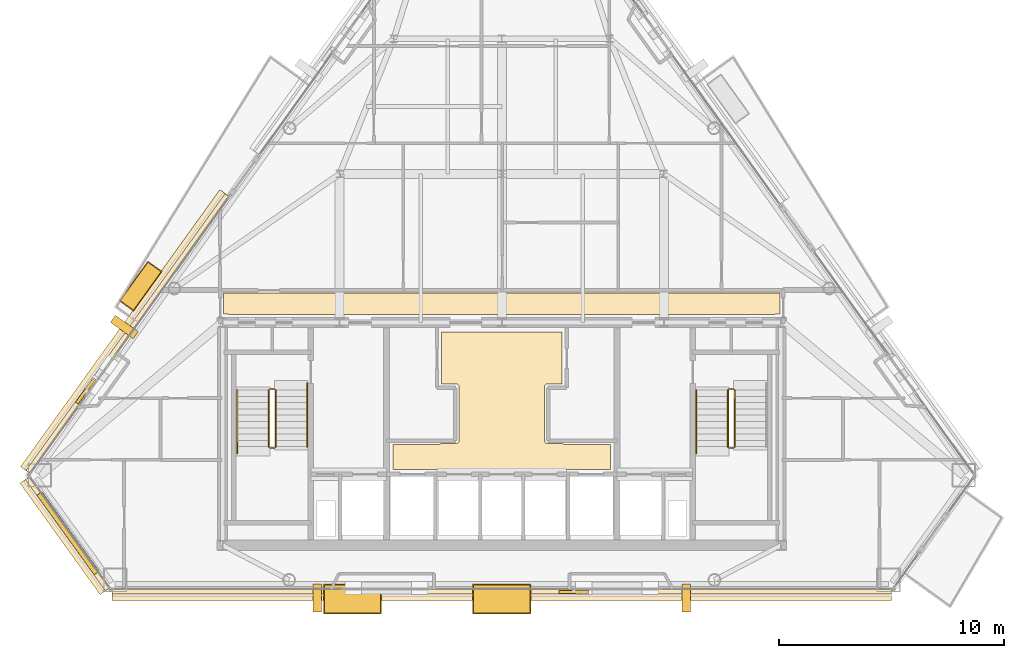
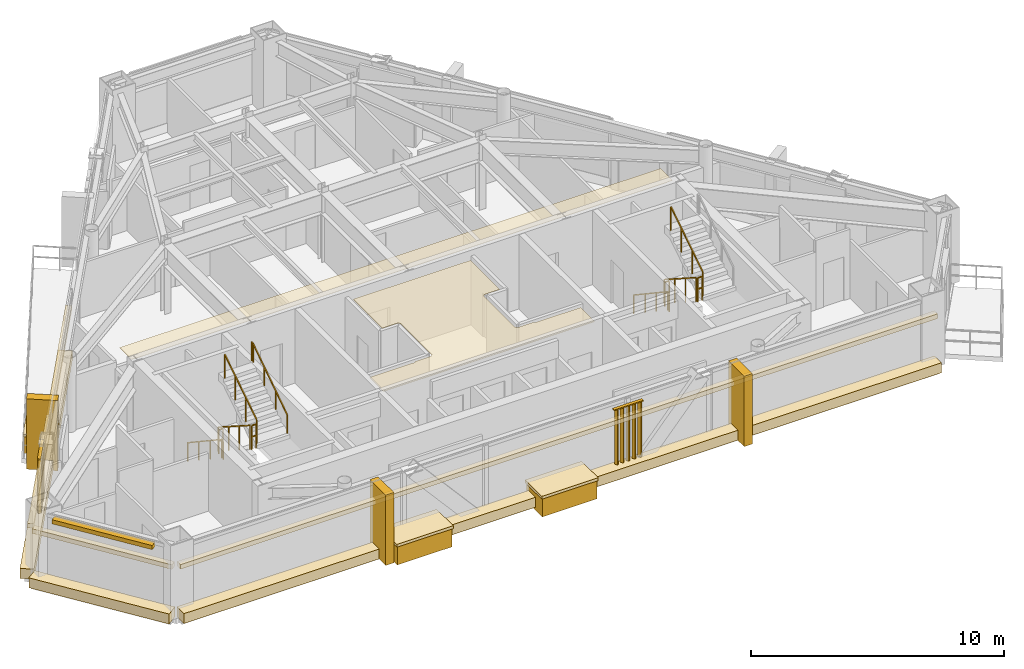
# One storey, part 11 of 12: 17 coverings, 11 railings, 3 shading devices.
"""IFC4 building model written with IfcOpenShell, lengths in metres."""

from ifc_helpers import new_model, si_unit, direction, frame, origin, origin_2d, place, context, subcontext, project, spatial, polyline, rectangle, outline, extrude, source, transform, mapped, material, layer, layer_set, type_object, type_shapes, element, save


model = new_model("IFC4")

# Units and contexts
model_context = context("Model", 3, precision=1e-05, world=origin(), true_north=direction((0.0, 1.0)))
body_context = subcontext(model_context, "Body", "Model", "MODEL_VIEW")
ifc_project = project(units=[si_unit("LENGTHUNIT", "METRE"), si_unit("AREAUNIT", "SQUARE_METRE"), si_unit("VOLUMEUNIT", "CUBIC_METRE"), si_unit("PLANEANGLEUNIT", "RADIAN"), si_unit("MASSUNIT", "GRAM", prefix="KILO")], contexts=[model_context])

# Site, building, storey
site_placement = place(None, origin())
site = spatial("IfcSite", under=ifc_project, at=site_placement, CompositionType="ELEMENT")
building_placement = place(site_placement, origin())
building = spatial("IfcBuilding", under=site, at=building_placement, Name="Talgorran Terracotta Tower", CompositionType="ELEMENT")
storey_placement = place(building_placement, frame((0.0, 0.0, 192.89990234375)))
storey = spatial("IfcBuildingStorey", under=building, at=storey_placement, Name="L50", CompositionType="ELEMENT", Elevation=192.89990234375)

# Coverings
ifc_material_1 = material(Name="Kiln-Fired Terracotta Ochre Ceramic", Category="masonry")
ifc_layer_1 = layer(ifc_material_1, 0.179931640625, Name="COV_BAGUETTE_TERRACOTTA_SCREEN")
ifc_layer_set_1 = layer_set([ifc_layer_1], Name="Kiln-Fired Terracotta Ochre Ceramic")
covering_type_1 = type_object("IfcCoveringType", Name="COV_BAGUETTE_TERRACOTTA_SCREEN", PredefinedType="CLADDING", material=ifc_layer_set_1)
covering_1_placement = place(storey_placement, frame((-19.281982421875, -13.574951171875, 2.41015625), z_axis=(0.0, 0.0, 1.0), x_axis=(0.583980505394, -0.811767681864, 0.0)))
element("IfcCovering", 1, at=covering_1_placement, inside=storey, type_object=covering_type_1, Name="L50 Terracotta Baguette Solar Screen Assembly F0", PredefinedType="CLADDING", context=body_context, shape_type="SweptSolid", body=[
    extrude(rectangle(XDim=6.07958984375, YDim=0.260009765625, at=origin_2d()), origin(), (0.0, 0.0, 1.0), 0.219970703125),
])
covering_2_placement = place(storey_placement, frame((0.0, -16.14111328125, 2.41015625), z_axis=(0.0, 0.0, 1.0), x_axis=(1.0, 0.0, 0.0)))
element("IfcCovering", 2, at=covering_2_placement, inside=storey, type_object=covering_type_1, Name="L50 Terracotta Baguette Solar Screen Assembly F1", PredefinedType="CLADDING", context=body_context, shape_type="SweptSolid", body=[
    extrude(rectangle(XDim=34.62939453125, YDim=0.260009765625, at=origin_2d()), origin(), (0.0, 0.0, 1.0), 0.219970703125),
])
covering_3_placement = place(storey_placement, frame((-16.6123046875, -4.6982421875, 2.41015625), z_axis=(0.0, 0.0, 1.0), x_axis=(-0.583980505394, -0.811767681864, 0.0)))
element("IfcCovering", 3, at=covering_3_placement, inside=storey, type_object=covering_type_1, Name="L50 Terracotta Baguette Solar Screen Assembly F61", PredefinedType="CLADDING", context=body_context, shape_type="SweptSolid", body=[
    extrude(rectangle(XDim=15.142822265625, YDim=0.260009765625, at=origin_2d()), origin(), (0.0, 0.0, 1.0), 0.219970703125),
])
ifc_material_2 = material(Name="Mineral Fibre Acoustic Tile")
ifc_layer_2 = layer(ifc_material_2, 0.02490234375, Name="COV_CEIL_ACOUSTIC")
ifc_layer_set_2 = layer_set([ifc_layer_2], Name="Mineral Fibre Acoustic Tile")
covering_type_2 = type_object("IfcCoveringType", Name="COV_CEIL_ACOUSTIC", PredefinedType="CEILING", material=ifc_layer_set_2)
covering_4_placement = place(storey_placement, frame((0.0, 0.0, 3.260009765625)))
element("IfcCovering", 4, at=covering_4_placement, inside=storey, type_object=covering_type_2, Name="CEIL-L50-2", PredefinedType="CEILING", context=body_context, shape_type="SweptSolid", body=[
    extrude(outline(polyline([(-12.364990234375, -2.885009765625), (12.364990234375, -2.885009765625), (12.364990234375, -3.830078125), (12.169921875, -3.830078125), (12.158203125, -3.83056640625), (12.146484375, -3.832275390625), (12.13525390625, -3.835205078125), (12.1240234375, -3.839111328125), (12.11328125, -3.84423828125), (12.112060546875, -3.844970703125), (7.432861328125, -3.844970703125), (6.968017578125, -3.843017578125), (6.967529296875, -3.843017578125), (0.232666015625, -3.844970703125), (-0.23193359375, -3.843017578125), (-0.232421875, -3.843017578125), (-6.96728515625, -3.844970703125), (-7.431884765625, -3.843017578125), (-7.4326171875, -3.843017578125), (-12.112060546875, -3.844970703125), (-12.11328125, -3.84423828125), (-12.1240234375, -3.839111328125), (-12.13525390625, -3.835205078125), (-12.146484375, -3.832275390625), (-12.158203125, -3.83056640625), (-12.169921875, -3.830078125), (-12.364990234375, -3.830078125), (-12.364990234375, -2.885009765625)])), origin(), (0.0, 0.0, 1.0), 0.02001953125),
])
ifc_material_3 = material(Name="Flush Moisture-Resistant Plaster")
ifc_layer_3 = layer(ifc_material_3, 0.01806640625, Name="COV_CEIL_PLASTER")
ifc_layer_set_3 = layer_set([ifc_layer_3], Name="Flush Moisture-Resistant Plaster")
covering_type_3 = type_object("IfcCoveringType", Name="COV_CEIL_PLASTER", PredefinedType="CEILING", material=ifc_layer_set_3)
covering_5_placement = place(storey_placement, frame((0.0, 0.0, 3.260009765625)))
element("IfcCovering", 5, at=covering_5_placement, inside=storey, type_object=covering_type_3, Name="CEIL-L50-1", PredefinedType="CEILING", context=body_context, shape_type="SweptSolid", body=[
    extrude(outline(polyline([(-2.70263671875, -9.570068359375), (-2.02001953125, -9.570068359375), (-2.00830078125, -9.5693359375), (-1.99658203125, -9.567626953125), (-1.985107421875, -9.564697265625), (-1.97412109375, -9.560791015625), (-1.96337890625, -9.555908203125), (-1.953369140625, -9.5498046875), (-1.94384765625, -9.542724609375), (-1.93505859375, -9.534912109375), (-1.92724609375, -9.526123046875), (-1.920166015625, -9.5166015625), (-1.914306640625, -9.506591796875), (-1.9091796875, -9.495849609375), (-1.9052734375, -9.48486328125), (-1.90234375, -9.473388671875), (-1.900634765625, -9.4619140625), (-1.89990234375, -9.449951171875), (-1.89990234375, -7.050048828125), (-1.900634765625, -7.0380859375), (-1.90234375, -7.026611328125), (-1.9052734375, -7.01513671875), (-1.9091796875, -7.004150390625), (-1.914306640625, -6.993408203125), (-1.920166015625, -6.9833984375), (-1.92724609375, -6.973876953125), (-1.93505859375, -6.965087890625), (-1.94384765625, -6.957275390625), (-1.953369140625, -6.9501953125), (-1.96337890625, -6.944091796875), (-1.97412109375, -6.939208984375), (-1.985107421875, -6.935302734375), (-1.99658203125, -6.932373046875), (-2.00830078125, -6.9306640625), (-2.02001953125, -6.929931640625), (-2.679931640625, -6.929931640625), (-2.679931640625, -4.6201171875), (2.679931640625, -4.6201171875), (2.679931640625, -6.929931640625), (2.02001953125, -6.929931640625), (2.00830078125, -6.9306640625), (1.99658203125, -6.932373046875), (1.985107421875, -6.935302734375), (1.97412109375, -6.939208984375), (1.96337890625, -6.944091796875), (1.953369140625, -6.9501953125), (1.94384765625, -6.957275390625), (1.93505859375, -6.965087890625), (1.92724609375, -6.973876953125), (1.920166015625, -6.9833984375), (1.914306640625, -6.993408203125), (1.9091796875, -7.004150390625), (1.9052734375, -7.01513671875), (1.90234375, -7.026611328125), (1.900634765625, -7.0380859375), (1.89990234375, -7.050048828125), (1.89990234375, -9.449951171875), (1.900634765625, -9.4619140625), (1.90234375, -9.473388671875), (1.9052734375, -9.48486328125), (1.9091796875, -9.495849609375), (1.914306640625, -9.506591796875), (1.920166015625, -9.5166015625), (1.92724609375, -9.526123046875), (1.93505859375, -9.534912109375), (1.94384765625, -9.542724609375), (1.953369140625, -9.5498046875), (1.96337890625, -9.555908203125), (1.97412109375, -9.560791015625), (1.985107421875, -9.564697265625), (1.99658203125, -9.567626953125), (2.00830078125, -9.5693359375), (2.02001953125, -9.570068359375), (2.70263671875, -9.570068359375), (2.707275390625, -9.576171875), (2.715087890625, -9.5849609375), (2.723876953125, -9.5927734375), (2.7333984375, -9.599853515625), (2.743408203125, -9.605712890625), (2.754150390625, -9.61083984375), (2.76513671875, -9.61474609375), (2.776611328125, -9.61767578125), (2.7880859375, -9.619384765625), (2.800048828125, -9.6201171875), (4.830078125, -9.6201171875), (4.830078125, -10.72998046875), (-4.830078125, -10.72998046875), (-4.830078125, -9.6201171875), (-2.800048828125, -9.6201171875), (-2.7880859375, -9.619384765625), (-2.776611328125, -9.61767578125), (-2.76513671875, -9.61474609375), (-2.754150390625, -9.61083984375), (-2.743408203125, -9.605712890625), (-2.7333984375, -9.599853515625), (-2.723876953125, -9.5927734375), (-2.715087890625, -9.5849609375), (-2.707275390625, -9.576171875), (-2.70263671875, -9.570068359375)])), origin(), (0.0, 0.0, 1.0), 0.02001953125),
])
ifc_material_4 = material(Name="Honed Limestone and Terracotta Planter", Category="masonry")
ifc_layer_4 = layer(ifc_material_4, 0.1201171875, Name="COV_PLANTER_BOX")
ifc_layer_set_4 = layer_set([ifc_layer_4], Name="Honed Limestone and Terracotta Planter")
covering_type_4 = type_object("IfcCoveringType", Name="COV_PLANTER_BOX", PredefinedType="CLADDING", material=ifc_layer_set_4)
for number, where, z_axis, x_axis, name in (
    (6, (-6.629638671875, -16.481201171875, -0.179931640625), (0.0, 0.0, 1.0), (1.0, 0.0, 0.0), "L50 Staggered South Facade Planter Box 1"),
    (7, (0.0, -16.481201171875, -0.179931640625), (0.0, 0.0, 1.0), (1.0, 0.0, 0.0), "L50 Staggered South Facade Planter Box 2"),
):
    element("IfcCovering", number, at=place(storey_placement, frame(where, z_axis=z_axis, x_axis=x_axis)), inside=storey, type_object=covering_type_4, Name=name, PredefinedType="CLADDING", context=body_context, shape_type="SweptSolid", body=[
        extrude(rectangle(XDim=2.5, YDim=1.25, at=origin_2d()), origin(), (0.0, 0.0, 1.0), 0.919921875),
    ])
covering_6_placement = place(storey_placement, frame((-16.0419921875, -2.5869140625, -0.02001953125), z_axis=(0.0, 0.0, 1.0), x_axis=(-0.583980505394, -0.811767681864, 0.0)))
element("IfcCovering", 8, at=covering_6_placement, inside=storey, type_object=covering_type_4, Name="L50 Staggered Balcony Planter Box BAL-NW", PredefinedType="CLADDING", context=body_context, shape_type="SweptSolid", body=[
    extrude(rectangle(XDim=2.10009765625, YDim=0.719970703125, at=origin_2d()), origin(), (0.0, 0.0, 1.0), 0.860107421875),
])
ifc_material_5 = material(Name="Kiln-Fired Terracotta Planter Rim", Category="masonry")
ifc_layer_5 = layer(ifc_material_5, 0.10009765625, Name="COV_PLANTER_RIM")
ifc_layer_set_5 = layer_set([ifc_layer_5], Name="Kiln-Fired Terracotta Planter Rim")
covering_type_5 = type_object("IfcCoveringType", Name="COV_PLANTER_RIM", PredefinedType="CLADDING", material=ifc_layer_set_5)
for number, where, z_axis, x_axis, name in (
    (9, (-6.629638671875, -16.481201171875, 0.7099609375), (0.0, 0.0, 1.0), (1.0, 0.0, 0.0), "L50 South Planter Terracotta Rim 1"),
    (10, (0.0, -16.481201171875, 0.7099609375), (0.0, 0.0, 1.0), (1.0, 0.0, 0.0), "L50 South Planter Terracotta Rim 2"),
):
    element("IfcCovering", number, at=place(storey_placement, frame(where, z_axis=z_axis, x_axis=x_axis)), inside=storey, type_object=covering_type_5, Name=name, PredefinedType="CLADDING", context=body_context, shape_type="SweptSolid", body=[
        extrude(rectangle(XDim=2.580078125, YDim=1.320068359375, at=origin_2d()), origin(), (0.0, 0.0, 1.0), 0.139892578125),
    ])
covering_7_placement = place(storey_placement, frame((-16.0419921875, -2.5869140625, 0.800048828125), z_axis=(0.0, 0.0, 1.0), x_axis=(-0.583980505394, -0.811767681864, 0.0)))
element("IfcCovering", 11, at=covering_7_placement, inside=storey, type_object=covering_type_5, Name="L50 Balcony Planter Terracotta Rim BAL-NW", PredefinedType="CLADDING", context=body_context, shape_type="SweptSolid", body=[
    extrude(rectangle(XDim=2.179931640625, YDim=0.780029296875, at=origin_2d()), origin(), (0.0, 0.0, 1.0), 0.1201171875),
])
ifc_material_6 = material(Name="Honed Limestone Cladding", Category="masonry")
ifc_layer_6 = layer(ifc_material_6, 0.094970703125, Name="COV_PORTAL_LIME")
ifc_layer_set_6 = layer_set([ifc_layer_6], Name="Honed Limestone Cladding")
covering_type_6 = type_object("IfcCoveringType", Name="COV_PORTAL_LIME", PredefinedType="CLADDING", material=ifc_layer_set_6)
covering_8_placement = place(storey_placement, frame((-19.3955078125, -13.65673828125, -0.039794921875), z_axis=(0.0, 0.0, 1.0), x_axis=(0.583980505394, -0.811767681864, 0.0)))
element("IfcCovering", 12, at=covering_8_placement, inside=storey, type_object=covering_type_6, Name="L50 Striped Postmodern Portal Cladding Band F0", PredefinedType="CLADDING", context=body_context, shape_type="SweptSolid", body=[
    extrude(rectangle(XDim=6.099609375, YDim=0.56005859375, at=origin_2d()), origin(), (0.0, 0.0, 1.0), 0.47998046875),
])
covering_9_placement = place(storey_placement, frame((0.0, -16.281005859375, -0.039794921875), z_axis=(0.0, 0.0, 1.0), x_axis=(1.0, 0.0, 0.0)))
element("IfcCovering", 13, at=covering_9_placement, inside=storey, type_object=covering_type_6, Name="L50 Striped Postmodern Portal Cladding Band F1", PredefinedType="CLADDING", context=body_context, shape_type="SweptSolid", body=[
    extrude(rectangle(XDim=34.6494140625, YDim=0.56005859375, at=origin_2d()), origin(), (0.0, 0.0, 1.0), 0.47998046875),
])
covering_10_placement = place(storey_placement, frame((-16.725830078125, -4.616455078125, -0.039794921875), z_axis=(0.0, 0.0, 1.0), x_axis=(-0.583980505394, -0.811767681864, 0.0)))
element("IfcCovering", 14, at=covering_10_placement, inside=storey, type_object=covering_type_6, Name="L50 Striped Postmodern Portal Cladding Band F61", PredefinedType="CLADDING", context=body_context, shape_type="SweptSolid", body=[
    extrude(rectangle(XDim=15.162841796875, YDim=0.56005859375, at=origin_2d()), origin(), (0.0, 0.0, 1.0), 0.47998046875),
])
for number, where, z_axis, x_axis, name in (
    (15, (8.19970703125, -16.441162109375, -0.0498046875), (0.0, 0.0, 1.0), (1.0, 0.0, 0.0), "L50 White Striped Portal Fin F1-2"),
    (16, (-16.768798828125, -4.402099609375, -0.0498046875), (0.0, 0.0, 1.0), (-0.583980505394, -0.811767681864, 0.0), "L50 White Striped Portal Fin F5-2"),
):
    element("IfcCovering", number, at=place(storey_placement, frame(where, z_axis=z_axis, x_axis=x_axis)), inside=storey, type_object=covering_type_6, Name=name, PredefinedType="CLADDING", context=body_context, shape_type="SweptSolid", body=[
        extrude(rectangle(XDim=0.3798828125, YDim=1.25, at=origin_2d()), origin(), (0.0, 0.0, 1.0), 3.39990234375),
    ])
ifc_material_7 = material(Name="Kiln-Fired Terracotta Cladding", Category="masonry")
ifc_layer_7 = layer(ifc_material_7, 0.090087890625, Name="COV_PORTAL_TERRA")
ifc_layer_set_7 = layer_set([ifc_layer_7], Name="Kiln-Fired Terracotta Cladding")
covering_type_7 = type_object("IfcCoveringType", Name="COV_PORTAL_TERRA", PredefinedType="CLADDING", material=ifc_layer_set_7)
covering_11_placement = place(storey_placement, frame((-8.19970703125, -16.441162109375, -0.0498046875), z_axis=(0.0, 0.0, 1.0), x_axis=(1.0, 0.0, 0.0)))
element("IfcCovering", 17, at=covering_11_placement, inside=storey, type_object=covering_type_7, Name="L50 Terracotta Striped Portal Fin F1-1", PredefinedType="CLADDING", context=body_context, shape_type="SweptSolid", body=[
    extrude(rectangle(XDim=0.3798828125, YDim=1.25, at=origin_2d()), origin(), (0.0, 0.0, 1.0), 3.39990234375),
])

# Railings
ifc_material_8 = material(Name="Steel S355 (300PLUS)", Category="steel")
railing_type_1 = type_object("IfcRailingType", Name="RL_HANDRAIL_920", PredefinedType="HANDRAIL", material=ifc_material_8)
railing_1_placement = place(storey_placement, frame((-11.75, -7.199951171875, 0.18017578125)))
element("IfcRailing", 18, at=railing_1_placement, inside=storey, type_object=railing_type_1, Name="L50 ST-01 stair handrail 1", PredefinedType="HANDRAIL", context=body_context, shape_type="SweptSolid", body=[
    extrude(rectangle(XDim=0.048095703125, YDim=0.048095703125, at=origin_2d()), frame((0.0, 0.0, 0.89599609375), z_axis=(0.0, -0.832073444223, 0.554665469827), x_axis=(1.0, 0.0, 0.0)), (0.0, 0.0, 1.0), 3.244873046875),
    extrude(rectangle(XDim=0.048095703125, YDim=0.048095703125, at=origin_2d()), frame((0.0, -2.699951171875, 2.69580078125), z_axis=(0.0, -1.0, 0.0), x_axis=(1.0, 0.0, 0.0)), (0.0, 0.0, 1.0), 0.1201171875),
    extrude(rectangle(XDim=0.0419921875, YDim=0.0419921875, at=origin_2d()), origin(), (0.0, 0.0, 1.0), 0.871826171875),
    extrude(rectangle(XDim=0.0419921875, YDim=0.0419921875, at=origin_2d()), frame((0.0, -0.89990234375, 0.599853515625)), (0.0, 0.0, 1.0), 0.871826171875),
    extrude(rectangle(XDim=0.0419921875, YDim=0.0419921875, at=origin_2d()), frame((0.0, -1.800048828125, 1.199951171875)), (0.0, 0.0, 1.0), 0.871826171875),
    extrude(rectangle(XDim=0.0419921875, YDim=0.0419921875, at=origin_2d()), frame((0.0, -2.699951171875, 1.7998046875)), (0.0, 0.0, 1.0), 0.871826171875),
    extrude(rectangle(XDim=0.0419921875, YDim=0.0419921875, at=origin_2d()), frame((0.0, -2.820068359375, 1.7998046875)), (0.0, 0.0, 1.0), 0.871826171875),
])
railing_2_placement = place(storey_placement, frame((-8.64990234375, -9.719970703125, 1.97998046875)))
element("IfcRailing", 19, at=railing_2_placement, inside=storey, type_object=railing_type_1, Name="L50 ST-01 stair handrail 2", PredefinedType="HANDRAIL", context=body_context, shape_type="SweptSolid", body=[
    extrude(rectangle(XDim=0.048095703125, YDim=0.048095703125, at=origin_2d()), frame((0.0, 0.0, 0.89599609375), z_axis=(0.0, 0.832038719335, 0.554717558338), x_axis=(-1.0, 0.0, 0.0)), (0.0, 0.0, 1.0), 3.244873046875),
    extrude(rectangle(XDim=0.048095703125, YDim=0.048095703125, at=origin_2d()), frame((0.0, 2.699951171875, 2.69580078125), z_axis=(0.0, 1.0, 0.0), x_axis=(-1.0, 0.0, 0.0)), (0.0, 0.0, 1.0), 0.1201171875),
    extrude(rectangle(XDim=0.0419921875, YDim=0.0419921875, at=origin_2d()), origin(), (0.0, 0.0, 1.0), 0.871826171875),
    extrude(rectangle(XDim=0.0419921875, YDim=0.0419921875, at=origin_2d()), frame((0.0, 0.89990234375, 0.60009765625)), (0.0, 0.0, 1.0), 0.871826171875),
    extrude(rectangle(XDim=0.0419921875, YDim=0.0419921875, at=origin_2d()), frame((0.0, 1.800048828125, 1.199951171875)), (0.0, 0.0, 1.0), 0.871826171875),
    extrude(rectangle(XDim=0.0419921875, YDim=0.0419921875, at=origin_2d()), frame((0.0, 2.699951171875, 1.800048828125)), (0.0, 0.0, 1.0), 0.871826171875),
    extrude(rectangle(XDim=0.0419921875, YDim=0.0419921875, at=origin_2d()), frame((0.0, 2.820068359375, 1.800048828125)), (0.0, 0.0, 1.0), 0.871826171875),
])
railing_3_placement = place(storey_placement, frame((8.64990234375, -7.199951171875, 0.18017578125)))
element("IfcRailing", 20, at=railing_3_placement, inside=storey, type_object=railing_type_1, Name="L50 ST-02 stair handrail 1", PredefinedType="HANDRAIL", context=body_context, shape_type="SweptSolid", body=[
    extrude(rectangle(XDim=0.048095703125, YDim=0.048095703125, at=origin_2d()), frame((0.0, 0.0, 0.89599609375), z_axis=(0.0, -0.832073444223, 0.554665469827), x_axis=(1.0, 0.0, 0.0)), (0.0, 0.0, 1.0), 3.244873046875),
    extrude(rectangle(XDim=0.048095703125, YDim=0.048095703125, at=origin_2d()), frame((0.0, -2.699951171875, 2.69580078125), z_axis=(0.0, -1.0, 0.0), x_axis=(1.0, 0.0, 0.0)), (0.0, 0.0, 1.0), 0.1201171875),
    extrude(rectangle(XDim=0.0419921875, YDim=0.0419921875, at=origin_2d()), origin(), (0.0, 0.0, 1.0), 0.871826171875),
    extrude(rectangle(XDim=0.0419921875, YDim=0.0419921875, at=origin_2d()), frame((0.0, -0.89990234375, 0.599853515625)), (0.0, 0.0, 1.0), 0.871826171875),
    extrude(rectangle(XDim=0.0419921875, YDim=0.0419921875, at=origin_2d()), frame((0.0, -1.800048828125, 1.199951171875)), (0.0, 0.0, 1.0), 0.871826171875),
    extrude(rectangle(XDim=0.0419921875, YDim=0.0419921875, at=origin_2d()), frame((0.0, -2.699951171875, 1.7998046875)), (0.0, 0.0, 1.0), 0.871826171875),
    extrude(rectangle(XDim=0.0419921875, YDim=0.0419921875, at=origin_2d()), frame((0.0, -2.820068359375, 1.7998046875)), (0.0, 0.0, 1.0), 0.871826171875),
])
railing_type_2 = type_object("IfcRailingType", Name="RL_STAIR_GUARD", PredefinedType="GUARDRAIL", material=ifc_material_8)
railing_4_placement = place(storey_placement, frame((-10.35009765625, -7.199951171875, 0.18017578125)))
element("IfcRailing", 21, at=railing_4_placement, inside=storey, type_object=railing_type_2, Name="L50 ST-01 stair guard 1", PredefinedType="GUARDRAIL", context=body_context, shape_type="SweptSolid", body=[
    extrude(rectangle(XDim=0.048095703125, YDim=0.048095703125, at=origin_2d()), frame((0.0, 0.0, 1.15576171875), z_axis=(0.0, -0.841199657755, 0.540724639528), x_axis=(1.0, 0.0, 0.0)), (0.0, 0.0, 1.0), 2.995849609375),
    extrude(rectangle(XDim=0.0419921875, YDim=0.0419921875, at=origin_2d()), origin(), (0.0, 0.0, 1.0), 1.1318359375),
    extrude(rectangle(XDim=0.0419921875, YDim=0.0419921875, at=origin_2d()), frame((0.0, -0.840087890625, 0.5400390625)), (0.0, 0.0, 1.0), 1.1318359375),
    extrude(rectangle(XDim=0.0419921875, YDim=0.0419921875, at=origin_2d()), frame((0.0, -1.679931640625, 1.079833984375)), (0.0, 0.0, 1.0), 1.1318359375),
    extrude(rectangle(XDim=0.0419921875, YDim=0.0419921875, at=origin_2d()), frame((0.0, -2.52001953125, 1.619873046875)), (0.0, 0.0, 1.0), 1.1318359375),
])
railing_5_placement = place(storey_placement, frame((-10.300048828125, -9.77001953125, 1.800048828125)))
element("IfcRailing", 22, at=railing_5_placement, inside=storey, type_object=railing_type_2, Name="L50 ST-01 stair guard 2", PredefinedType="GUARDRAIL", context=body_context, shape_type="SweptSolid", body=[
    extrude(rectangle(XDim=0.048095703125, YDim=0.048095703125, at=origin_2d()), frame((0.0, 0.0, 1.15576171875), z_axis=(1.0, 0.0, 0.0), x_axis=(0.0, 1.0, 0.0)), (0.0, 0.0, 1.0), 0.199951171875),
    extrude(rectangle(XDim=0.048095703125, YDim=0.048095703125, at=origin_2d()), frame((0.0, 0.0, 0.613525390625), z_axis=(1.0, 0.0, 0.0), x_axis=(0.0, 1.0, 0.0)), (0.0, 0.0, 1.0), 0.199951171875),
    extrude(rectangle(XDim=0.0419921875, YDim=0.0419921875, at=origin_2d()), origin(), (0.0, 0.0, 1.0), 1.1318359375),
    extrude(rectangle(XDim=0.0419921875, YDim=0.0419921875, at=origin_2d()), frame((0.199951171875, 0.0, 0.0)), (0.0, 0.0, 1.0), 1.1318359375),
])
railing_6_placement = place(storey_placement, frame((-10.050048828125, -9.719970703125, 1.97998046875)))
element("IfcRailing", 23, at=railing_6_placement, inside=storey, type_object=railing_type_2, Name="L50 ST-01 stair guard 3", PredefinedType="GUARDRAIL", context=body_context, shape_type="SweptSolid", body=[
    extrude(rectangle(XDim=0.048095703125, YDim=0.048095703125, at=origin_2d()), frame((0.0, 0.0, 1.15576171875), z_axis=(0.0, 0.841162588446, 0.540782303519), x_axis=(-1.0, 0.0, 0.0)), (0.0, 0.0, 1.0), 2.995849609375),
    extrude(rectangle(XDim=0.0419921875, YDim=0.0419921875, at=origin_2d()), origin(), (0.0, 0.0, 1.0), 1.1318359375),
    extrude(rectangle(XDim=0.0419921875, YDim=0.0419921875, at=origin_2d()), frame((0.0, 0.840087890625, 0.5400390625)), (0.0, 0.0, 1.0), 1.1318359375),
    extrude(rectangle(XDim=0.0419921875, YDim=0.0419921875, at=origin_2d()), frame((0.0, 1.679931640625, 1.080078125)), (0.0, 0.0, 1.0), 1.1318359375),
    extrude(rectangle(XDim=0.0419921875, YDim=0.0419921875, at=origin_2d()), frame((0.0, 2.52001953125, 1.6201171875)), (0.0, 0.0, 1.0), 1.1318359375),
])
railing_7_placement = place(storey_placement, frame((-10.300048828125, -7.14990234375, 0.0)))
element("IfcRailing", 24, at=railing_7_placement, inside=storey, type_object=railing_type_2, Name="L50 ST-01 stair guard 4", PredefinedType="GUARDRAIL", context=body_context, shape_type="SweptSolid", body=[
    extrude(rectangle(XDim=0.048095703125, YDim=0.048095703125, at=origin_2d()), frame((0.0, 0.0, 1.15576171875), z_axis=(1.0, 0.0, 0.0), x_axis=(0.0, 1.0, 0.0)), (0.0, 0.0, 1.0), 0.199951171875),
    extrude(rectangle(XDim=0.048095703125, YDim=0.048095703125, at=origin_2d()), frame((0.0, 0.0, 0.613525390625), z_axis=(1.0, 0.0, 0.0), x_axis=(0.0, 1.0, 0.0)), (0.0, 0.0, 1.0), 0.199951171875),
    extrude(rectangle(XDim=0.0419921875, YDim=0.0419921875, at=origin_2d()), origin(), (0.0, 0.0, 1.0), 1.1318359375),
    extrude(rectangle(XDim=0.0419921875, YDim=0.0419921875, at=origin_2d()), frame((0.199951171875, 0.0, 0.0)), (0.0, 0.0, 1.0), 1.1318359375),
])
railing_8_placement = place(storey_placement, frame((10.050048828125, -7.199951171875, 0.18017578125)))
element("IfcRailing", 25, at=railing_8_placement, inside=storey, type_object=railing_type_2, Name="L50 ST-02 stair guard 1", PredefinedType="GUARDRAIL", context=body_context, shape_type="SweptSolid", body=[
    extrude(rectangle(XDim=0.048095703125, YDim=0.048095703125, at=origin_2d()), frame((0.0, 0.0, 1.15576171875), z_axis=(0.0, -0.841199657755, 0.540724639528), x_axis=(1.0, 0.0, 0.0)), (0.0, 0.0, 1.0), 2.995849609375),
    extrude(rectangle(XDim=0.0419921875, YDim=0.0419921875, at=origin_2d()), origin(), (0.0, 0.0, 1.0), 1.1318359375),
    extrude(rectangle(XDim=0.0419921875, YDim=0.0419921875, at=origin_2d()), frame((0.0, -0.840087890625, 0.5400390625)), (0.0, 0.0, 1.0), 1.1318359375),
    extrude(rectangle(XDim=0.0419921875, YDim=0.0419921875, at=origin_2d()), frame((0.0, -1.679931640625, 1.079833984375)), (0.0, 0.0, 1.0), 1.1318359375),
    extrude(rectangle(XDim=0.0419921875, YDim=0.0419921875, at=origin_2d()), frame((0.0, -2.52001953125, 1.619873046875)), (0.0, 0.0, 1.0), 1.1318359375),
])
railing_9_placement = place(storey_placement, frame((10.10009765625, -9.77001953125, 1.800048828125)))
element("IfcRailing", 26, at=railing_9_placement, inside=storey, type_object=railing_type_2, Name="L50 ST-02 stair guard 2", PredefinedType="GUARDRAIL", context=body_context, shape_type="SweptSolid", body=[
    extrude(rectangle(XDim=0.048095703125, YDim=0.048095703125, at=origin_2d()), frame((0.0, 0.0, 1.15576171875), z_axis=(1.0, 0.0, 0.0), x_axis=(0.0, 1.0, 0.0)), (0.0, 0.0, 1.0), 0.199951171875),
    extrude(rectangle(XDim=0.048095703125, YDim=0.048095703125, at=origin_2d()), frame((0.0, 0.0, 0.613525390625), z_axis=(1.0, 0.0, 0.0), x_axis=(0.0, 1.0, 0.0)), (0.0, 0.0, 1.0), 0.199951171875),
    extrude(rectangle(XDim=0.0419921875, YDim=0.0419921875, at=origin_2d()), origin(), (0.0, 0.0, 1.0), 1.1318359375),
    extrude(rectangle(XDim=0.0419921875, YDim=0.0419921875, at=origin_2d()), frame((0.199951171875, 0.0, 0.0)), (0.0, 0.0, 1.0), 1.1318359375),
])
railing_10_placement = place(storey_placement, frame((10.35009765625, -9.719970703125, 1.97998046875)))
element("IfcRailing", 27, at=railing_10_placement, inside=storey, type_object=railing_type_2, Name="L50 ST-02 stair guard 3", PredefinedType="GUARDRAIL", context=body_context, shape_type="SweptSolid", body=[
    extrude(rectangle(XDim=0.048095703125, YDim=0.048095703125, at=origin_2d()), frame((0.0, 0.0, 1.15576171875), z_axis=(0.0, 0.841162588446, 0.540782303519), x_axis=(-1.0, 0.0, 0.0)), (0.0, 0.0, 1.0), 2.995849609375),
    extrude(rectangle(XDim=0.0419921875, YDim=0.0419921875, at=origin_2d()), origin(), (0.0, 0.0, 1.0), 1.1318359375),
    extrude(rectangle(XDim=0.0419921875, YDim=0.0419921875, at=origin_2d()), frame((0.0, 0.840087890625, 0.5400390625)), (0.0, 0.0, 1.0), 1.1318359375),
    extrude(rectangle(XDim=0.0419921875, YDim=0.0419921875, at=origin_2d()), frame((0.0, 1.679931640625, 1.080078125)), (0.0, 0.0, 1.0), 1.1318359375),
    extrude(rectangle(XDim=0.0419921875, YDim=0.0419921875, at=origin_2d()), frame((0.0, 2.52001953125, 1.6201171875)), (0.0, 0.0, 1.0), 1.1318359375),
])
railing_11_placement = place(storey_placement, frame((10.10009765625, -7.14990234375, 0.0)))
element("IfcRailing", 28, at=railing_11_placement, inside=storey, type_object=railing_type_2, Name="L50 ST-02 stair guard 4", PredefinedType="GUARDRAIL", context=body_context, shape_type="SweptSolid", body=[
    extrude(rectangle(XDim=0.048095703125, YDim=0.048095703125, at=origin_2d()), frame((0.0, 0.0, 1.15576171875), z_axis=(1.0, 0.0, 0.0), x_axis=(0.0, 1.0, 0.0)), (0.0, 0.0, 1.0), 0.199951171875),
    extrude(rectangle(XDim=0.048095703125, YDim=0.048095703125, at=origin_2d()), frame((0.0, 0.0, 0.613525390625), z_axis=(1.0, 0.0, 0.0), x_axis=(0.0, 1.0, 0.0)), (0.0, 0.0, 1.0), 0.199951171875),
    extrude(rectangle(XDim=0.0419921875, YDim=0.0419921875, at=origin_2d()), origin(), (0.0, 0.0, 1.0), 1.1318359375),
    extrude(rectangle(XDim=0.0419921875, YDim=0.0419921875, at=origin_2d()), frame((0.199951171875, 0.0, 0.0)), (0.0, 0.0, 1.0), 1.1318359375),
])

# Shading devices
ifc_material_9 = material(Name="Kiln-Fired Terracotta", Category="masonry")
ifc_layer_8 = layer(ifc_material_9, 0.139892578125, Name="SHD_BAGUETTE_TERRA")
ifc_layer_set_8 = layer_set([ifc_layer_8], Name="Kiln-Fired Terracotta")
shading_device_type_1 = type_object("IfcShadingDeviceType", Name="SHD_BAGUETTE_TERRA", PredefinedType="JALOUSIE", material=ifc_layer_set_8)
shared_shape_1 = source(origin(), body_context, "Body", "SweptSolid", [
    extrude(rectangle(XDim=1.35009765625, YDim=0.139892578125, at=origin_2d()), origin(), (0.0, 0.0, 1.0), 0.054931640625),
    extrude(rectangle(XDim=1.35009765625, YDim=0.139892578125, at=origin_2d()), frame((0.0, 0.0, 2.7451171875)), (0.0, 0.0, 1.0), 0.054931640625),
    extrude(rectangle(XDim=0.074951171875, YDim=0.139892578125, at=origin_2d()), frame((-0.53515625, 0.0, 0.054931640625), z_axis=(0.0, 0.0, 1.0), x_axis=(0.866025403784, 0.5, 0.0)), (0.0, 0.0, 1.0), 2.690185546875),
    extrude(rectangle(XDim=0.074951171875, YDim=0.139892578125, at=origin_2d()), frame((-0.267578125, 0.0, 0.054931640625), z_axis=(0.0, 0.0, 1.0), x_axis=(0.866025403784, 0.5, 0.0)), (0.0, 0.0, 1.0), 2.690185546875),
    extrude(rectangle(XDim=0.074951171875, YDim=0.139892578125, at=origin_2d()), frame((0.0, 0.0, 0.054931640625), z_axis=(0.0, 0.0, 1.0), x_axis=(0.866025403784, 0.5, 0.0)), (0.0, 0.0, 1.0), 2.690185546875),
    extrude(rectangle(XDim=0.074951171875, YDim=0.139892578125, at=origin_2d()), frame((0.267578125, 0.0, 0.054931640625), z_axis=(0.0, 0.0, 1.0), x_axis=(0.866025403784, 0.5, 0.0)), (0.0, 0.0, 1.0), 2.690185546875),
    extrude(rectangle(XDim=0.074951171875, YDim=0.139892578125, at=origin_2d()), frame((0.53515625, 0.0, 0.054931640625), z_axis=(0.0, 0.0, 1.0), x_axis=(0.866025403784, 0.5, 0.0)), (0.0, 0.0, 1.0), 2.690185546875),
])
type_shapes(shading_device_type_1, [shared_shape_1])
for number, where, z_axis, x_axis, name in (
    (29, (3.207275390625, -16.18115234375, 0.35009765625), (0.0, 0.0, 1.0), (1.0, 0.0, 0.0), "BAG-L50-F1"),
    (30, (-18.484375, -7.232177734375, 0.35009765625), (0.0, 0.0, 1.0), (-0.583980505394, -0.811767681864, 0.0), "BAG-L50-F61"),
):
    element("IfcShadingDevice", number, at=place(storey_placement, frame(where, z_axis=z_axis, x_axis=x_axis)), inside=storey, type_object=shading_device_type_1, Name=name, PredefinedType="JALOUSIE", context=body_context, shape_type="MappedRepresentation", body=[
        mapped(shared_shape_1, transform((0.0, 0.0, 0.0), scale=1.0)),
    ])
ifc_layer_9 = layer(ifc_material_9, 0.280029296875, Name="SHD_SUNSHADE_TERRA")
ifc_layer_set_9 = layer_set([ifc_layer_9], Name="Kiln-Fired Terracotta")
shading_device_type_2 = type_object("IfcShadingDeviceType", Name="SHD_SUNSHADE_TERRA", PredefinedType="AWNING", material=ifc_layer_set_9)
shared_shape_2 = source(origin(), body_context, "Body", "SweptSolid", [
    extrude(rectangle(XDim=4.353759765625, YDim=0.280029296875, at=origin_2d()), origin(), (0.0, 0.0, 1.0), 0.199951171875),
])
type_shapes(shading_device_type_2, [shared_shape_2])
shading_device_placement = place(storey_placement, frame((-19.265625, -13.563232421875, 3.1103515625), z_axis=(0.0, 0.0, 1.0), x_axis=(0.583980505394, -0.811767681864, 0.0)))
element("IfcShadingDevice", 31, at=shading_device_placement, inside=storey, type_object=shading_device_type_2, Name="SHD-BROW-L50-F0", PredefinedType="AWNING", context=body_context, shape_type="MappedRepresentation", body=[
    mapped(shared_shape_2, transform((0.0, 0.0, 0.0), scale=1.0)),
])

save(model, "model.ifc")
